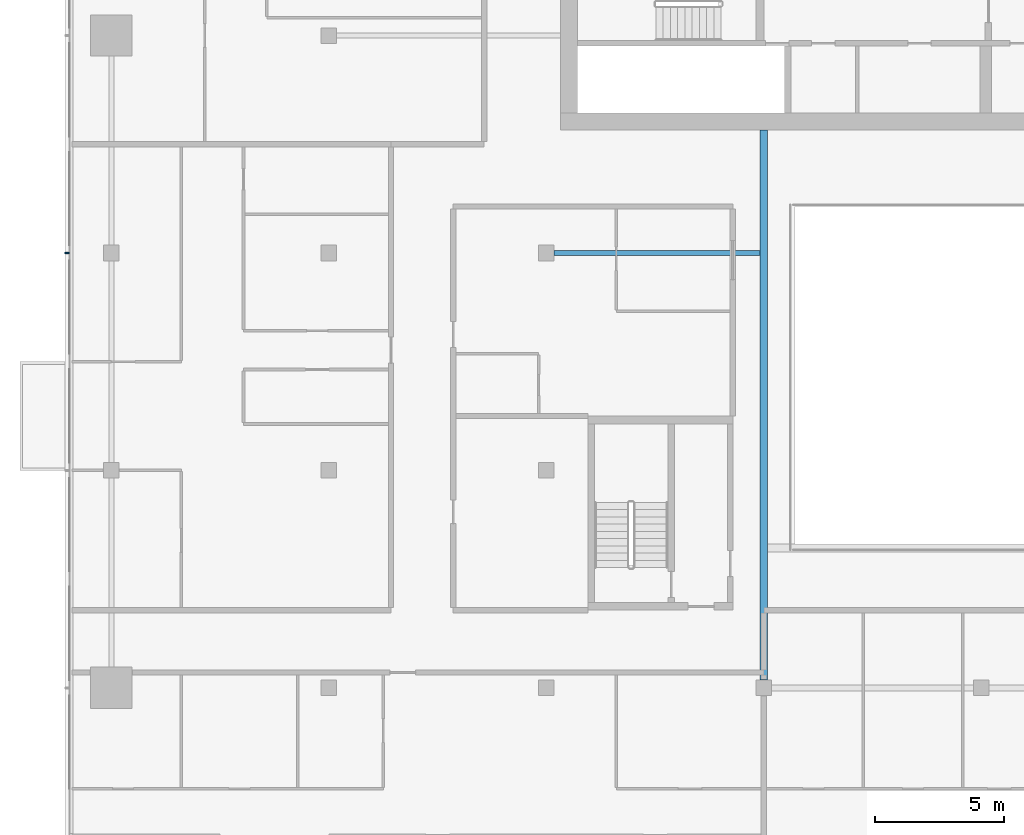
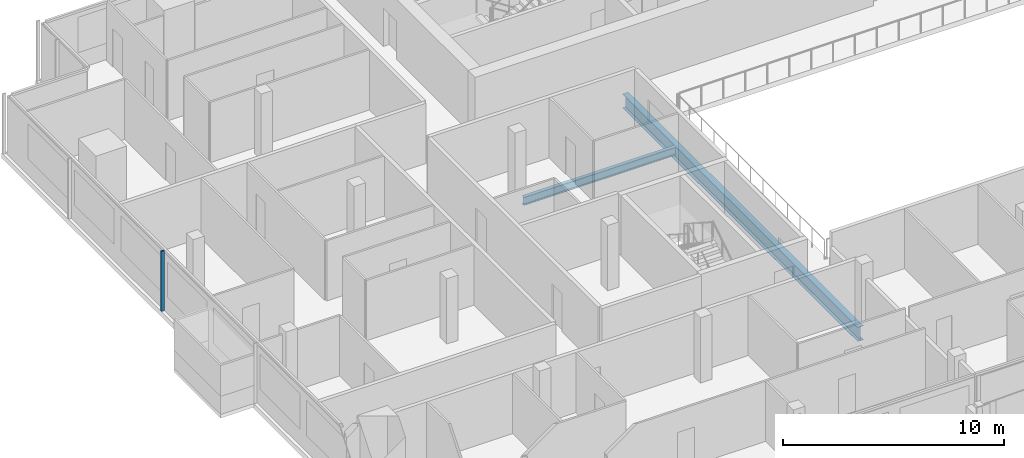
# One storey, part 4 of 26: 2 beams, 1 member, 1 element without a shape of its own.
"""IFC4 building model written with IfcOpenShell, lengths in metres."""

from ifc_helpers import new_model, si_unit, direction, frame, origin, origin_2d, place, context, subcontext, project, spatial, rectangle, i_section, extrude, material, material_profile, profile_set, type_object, element, aggregate, save


model = new_model("IFC4")

# Units and contexts
model_context = context("Model", 3, precision=1e-05, world=origin(), true_north=direction((0.0, 1.0)))
body_context = subcontext(model_context, "Body", "Model", "MODEL_VIEW")
ifc_project = project(units=[si_unit("LENGTHUNIT", "METRE"), si_unit("AREAUNIT", "SQUARE_METRE"), si_unit("VOLUMEUNIT", "CUBIC_METRE"), si_unit("PLANEANGLEUNIT", "RADIAN"), si_unit("MASSUNIT", "GRAM", prefix="KILO")], contexts=[model_context])

# Site, building, storey
site_placement = place(None, origin())
site = spatial("IfcSite", under=ifc_project, at=site_placement, CompositionType="ELEMENT")
building_placement = place(site_placement, origin())
building = spatial("IfcBuilding", under=site, at=building_placement, Name="Saffron Gate Tower", CompositionType="ELEMENT")
storey_placement = place(building_placement, frame((0.0, 0.0, 230.699951171875)))
storey = spatial("IfcBuildingStorey", under=building, at=storey_placement, Name="L56", CompositionType="ELEMENT", Elevation=230.699951171875)

# Beams
ifc_material_1 = material(Name="Structural steel S355", Category="steel")
ifc_material_profile_1 = material_profile(ifc_material_1, i_section(OverallWidth=0.300048828125, OverallDepth=0.7900390625, WebThickness=0.014892578125, FlangeThickness=0.028076171875, FilletRadius=0.030029296875, at=origin_2d()))
ifc_profile_set_1 = profile_set([ifc_material_profile_1], Name="Structural steel S355")
beam_type_1 = type_object("IfcBeamType", Name="B18 HEA 800", PredefinedType="BEAM", material=ifc_profile_set_1)
beam_1_placement = place(storey_placement, frame((75.0, 40.5, -0.675048828125), z_axis=(0.0, 1.0, 0.0), x_axis=(-1.0, 0.0, 0.0)))
element("IfcBeam", 1, at=beam_1_placement, inside=storey, type_object=beam_type_1, Name="B18 ATRIUM GIRDER", PredefinedType="BEAM", context=body_context, shape_type="SweptSolid", body=[
    extrude(i_section(OverallWidth=0.300048828125, OverallDepth=0.7900390625, WebThickness=0.014892578125, FlangeThickness=0.028076171875, FilletRadius=0.030029296875, at=origin_2d()), origin(), (0.0, 0.0, 1.0), 21.25),
])
ifc_material_profile_2 = material_profile(ifc_material_1, i_section(OverallWidth=0.18994140625, OverallDepth=0.449951171875, WebThickness=0.009521484375, FlangeThickness=0.0146484375, FilletRadius=0.02099609375, at=origin_2d()))
ifc_profile_set_2 = profile_set([ifc_material_profile_2], Name="Structural steel S355")
beam_type_2 = type_object("IfcBeamType", Name="B6 IPE 450", PredefinedType="BEAM", material=ifc_profile_set_2)
beam_2_placement = place(storey_placement, frame((66.89990234375, 57.0, -0.5048828125), z_axis=(1.0, 0.0, 0.0), x_axis=(0.0, 1.0, 0.0)))
element("IfcBeam", 2, at=beam_2_placement, inside=storey, type_object=beam_type_2, Name="B6 CORE TIE BEAM", PredefinedType="BEAM", context=body_context, shape_type="SweptSolid", body=[
    extrude(i_section(OverallWidth=0.18994140625, OverallDepth=0.449951171875, WebThickness=0.009521484375, FlangeThickness=0.0146484375, FilletRadius=0.02099609375, at=origin_2d()), origin(), (0.0, 0.0, 1.0), 7.9501953125),
])

# Curtain wall, member
ifc_material_2 = material(Name="Aluminium, bronze anodised", Category="aluminium")
curtain_wall_type = type_object("IfcCurtainWallType", Name="CWS2 curtain wall side facades", PredefinedType="NOTDEFINED", material=ifc_material_2)
curtain_wall_placement = place(storey_placement, origin())
curtain_wall = element("IfcCurtainWall", 3, at=curtain_wall_placement, inside=storey, type_object=curtain_wall_type, Name="CWS2 run 10", PredefinedType="NOTDEFINED")
ifc_material_profile_3 = material_profile(ifc_material_2, rectangle(XDim=0.159912109375, YDim=0.06005859375, at=origin_2d()))
ifc_profile_set_3 = profile_set([ifc_material_profile_3], Name="Aluminium, bronze anodised")
member_type = type_object("IfcMemberType", Name="CWS2 mullion 60x160", PredefinedType="MULLION", material=ifc_profile_set_3)
member_placement = place(storey_placement, frame((48.080078125, 57.0, 0.0), z_axis=(0.0, 0.0, 1.0), x_axis=(1.0, 0.0, 0.0)))
member = element("IfcMember", 4, at=member_placement, type_object=member_type, Name="CWS2 mullion 3", PredefinedType="MULLION", context=body_context, shape_type="SweptSolid", body=[
    extrude(rectangle(XDim=0.159912109375, YDim=0.06005859375, at=origin_2d()), origin(), (0.0, 0.0, 1.0), 3.320068359375),
])
aggregate(curtain_wall, [member])

save(model, "model.ifc")
